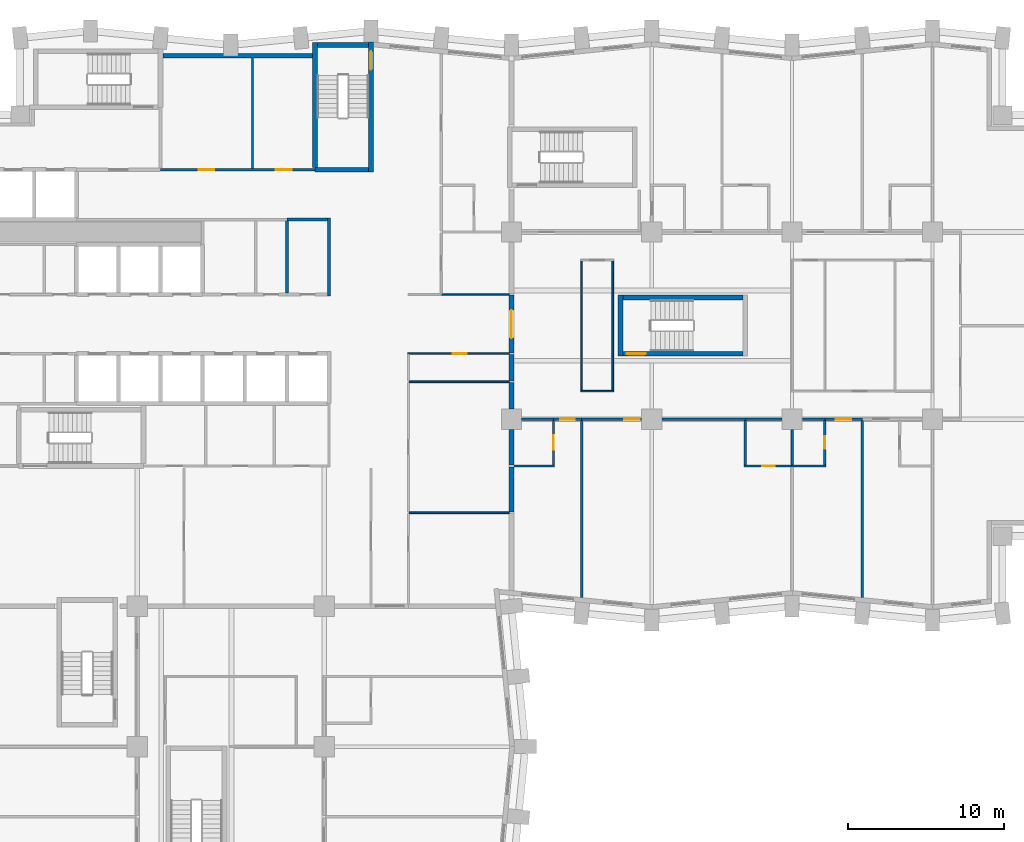
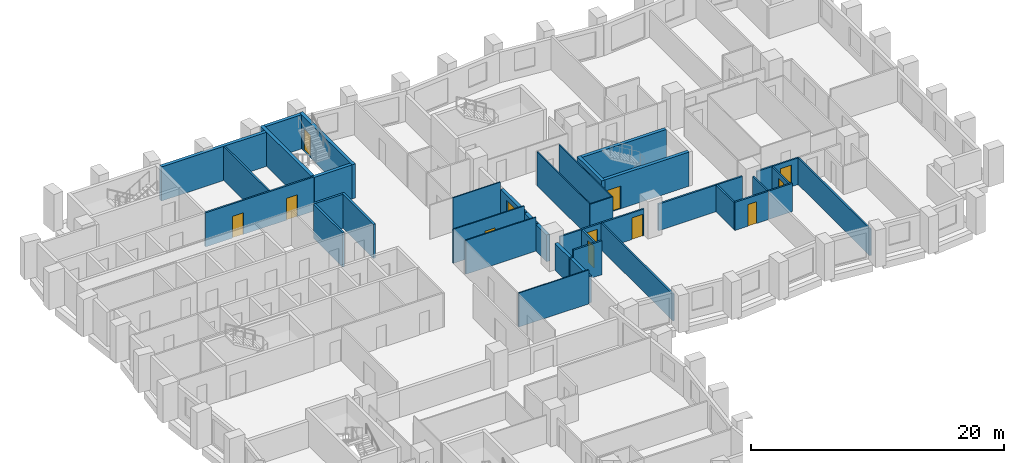
# One storey, part 7 of 12: 41 walls, 12 doors, 12 openings.
"""IFC4 building model written with IfcOpenShell, lengths in metres."""

import ifcopenshell
import ifcopenshell.guid

model = None  # the IFC model being written
_history = None  # IfcOwnerHistory: only IFC2X3 demands one
_inside = {}  # id of a spatial element -> (the spatial element, [elements in it])
_under = {}  # id of a project, library or spatial element -> (it, [spatial elements below it])
_declared = {}  # id of a project -> (the project, [libraries it declares])
_typed = {}  # id of a type object -> (the type object, [elements of that type])
_made_of = {}  # id of a material, layer set ... -> (it, [elements and type objects made of it])


def new_model(schema):
    """Start an empty IFC model of exactly this schema.

    Asked for "IFC4X3", IfcOpenShell would pick the latest addendum, in which some entities
    have other attributes; the version numbers below select the first issue.
    IFC2X3 requires an IfcOwnerHistory on every rooted entity: one is made here for all.
    """
    global model, _history
    if schema == "IFC4X3":
        model = ifcopenshell.file(schema_version=(4, 3, 0, 0))
    else:
        model = ifcopenshell.file(schema=schema)
    _inside.clear()
    _under.clear()
    _declared.clear()
    _typed.clear()
    _made_of.clear()
    _history = None
    if model.schema == "IFC2X3":
        org = make("IfcOrganization", Name="unknown")
        user = make(
            "IfcPersonAndOrganization",
            ThePerson=make("IfcPerson", FamilyName="unknown"),
            TheOrganization=org,
        )
        app = make(
            "IfcApplication",
            ApplicationDeveloper=org,
            Version="unknown",
            ApplicationFullName="unknown",
            ApplicationIdentifier="unknown",
        )
        _history = make(
            "IfcOwnerHistory",
            OwningUser=user,
            OwningApplication=app,
            ChangeAction="ADDED",
            CreationDate=0,
        )
    return model


def make(cls, **values):
    """One entity of the class cls with the attributes given. An attribute that is None is left unset."""
    return model.create_entity(
        cls, **{name: value for name, value in values.items() if value is not None}
    )


def rooted(cls, **values):
    """An entity with a GlobalId (a new one), such as an element, a storey or a relation."""
    return make(cls, GlobalId=ifcopenshell.guid.new(), OwnerHistory=_history, **values)


def si_unit(unit_type, name, prefix=None):
    """IfcSIUnit, for example si_unit("LENGTHUNIT", "METRE", prefix="MILLI")."""
    return make("IfcSIUnit", UnitType=unit_type, Prefix=prefix, Name=name)


def assignment(units):
    """IfcUnitAssignment: the units of a project."""
    return None if units is None else make("IfcUnitAssignment", Units=units)


def point(xyz):
    """IfcCartesianPoint."""
    return None if xyz is None else make("IfcCartesianPoint", Coordinates=xyz)


def direction(xyz):
    """IfcDirection."""
    return None if xyz is None else make("IfcDirection", DirectionRatios=xyz)


def frame(location, z_axis=None, x_axis=None):
    """IfcAxis2Placement3D, a coordinate frame: its origin and axes. An axis left out is left unset."""
    return make(
        "IfcAxis2Placement3D",
        Location=point(location),
        Axis=direction(z_axis),
        RefDirection=direction(x_axis),
    )


def frame_2d(location, x_axis=None):
    """IfcAxis2Placement2D, a coordinate frame in the plane: its origin and x axis."""
    return make(
        "IfcAxis2Placement2D", Location=point(location), RefDirection=direction(x_axis)
    )


def origin():
    """The frame at (0, 0, 0) with its axes left unset."""
    return frame((0.0, 0.0, 0.0))


def place(relative_to, where):
    """IfcLocalPlacement: puts the frame where relative to a parent placement (None: the world)."""
    return make(
        "IfcLocalPlacement", PlacementRelTo=relative_to, RelativePlacement=where
    )


def context(
    kind, dimensions, precision=None, world=None, true_north=None, identifier=None
):
    """IfcGeometricRepresentationContext, for example the 3D "Model" context."""
    return make(
        "IfcGeometricRepresentationContext",
        ContextIdentifier=identifier,
        ContextType=kind,
        CoordinateSpaceDimension=dimensions,
        Precision=precision,
        WorldCoordinateSystem=world,
        TrueNorth=true_north,
    )


def subcontext(parent, identifier, kind, view, scale=None):
    """IfcGeometricRepresentationSubContext, for example "Body" below "Model"."""
    return make(
        "IfcGeometricRepresentationSubContext",
        ContextIdentifier=identifier,
        ContextType=kind,
        ParentContext=parent,
        TargetScale=scale,
        TargetView=view,
    )


def project(units=None, contexts=None):
    """IfcProject with its units and contexts."""
    return rooted(
        "IfcProject",
        Name="project",
        RepresentationContexts=contexts,
        UnitsInContext=assignment(units),
    )


def spatial(cls, under=None, at=None, **own):
    """A site, building, storey or space (cls), placed at a placement, below another one or the project."""
    s = rooted(cls, ObjectPlacement=at, **own)
    if under is not None:
        _under.setdefault(under.id(), (under, []))[1].append(s)
    return s


def profile(cls, at=None, kind="AREA", **sizes):
    """A parametric profile (cls). Its sizes go by their IFC names, for example OverallWidth=200.0."""
    return make(cls, ProfileType=kind, Position=at, **sizes)


def rectangle(**sizes):
    """IfcRectangleProfileDef."""
    return profile("IfcRectangleProfileDef", **sizes)


def extrude(swept, where, along, depth):
    """IfcExtrudedAreaSolid: the profile swept, set in the frame where, extruded along a direction by depth."""
    return make(
        "IfcExtrudedAreaSolid",
        SweptArea=swept,
        Position=where,
        ExtrudedDirection=direction(along),
        Depth=depth,
    )


def shape(context_of_items, identifier, shape_type, items):
    """IfcShapeRepresentation: the items that make up one representation, for example the "Body"."""
    return make(
        "IfcShapeRepresentation",
        ContextOfItems=context_of_items,
        RepresentationIdentifier=identifier,
        RepresentationType=shape_type,
        Items=items,
    )


def material(Name=None, Category=None):
    """IfcMaterial."""
    return make("IfcMaterial", Name=Name, Category=Category)


def layer(
    of_material, thickness, ventilated=None, Name=None, Category=None, Priority=None
):
    """IfcMaterialLayer: one layer of a wall or slab, of a material (None: an air gap)."""
    return make(
        "IfcMaterialLayer",
        Material=of_material,
        LayerThickness=thickness,
        IsVentilated=ventilated,
        Name=Name,
        Category=Category,
        Priority=Priority,
    )


def layer_set(layers, Name=None):
    """IfcMaterialLayerSet."""
    return make("IfcMaterialLayerSet", MaterialLayers=layers, LayerSetName=Name)


def made_of(thing, what):
    """Note that an element or type object is made of a material, layer set ...; save() writes the relation."""
    if what is not None:
        _made_of.setdefault(what.id(), (what, []))[1].append(thing)
    return thing


def type_object(cls, material=None, **own):
    """A type object (cls), such as IfcWallType, which elements share."""
    return made_of(rooted(cls, **own), material)


def element(
    cls,
    number,
    at=None,
    inside=None,
    cuts=None,
    type_object=None,
    material=None,
    context=None,
    identifier="Body",
    shape_type=None,
    held_by="IfcProductDefinitionShape",
    body=None,
    shapes=None,
    **own,
):
    """One element of the class cls, such as IfcWall. Its Tag is "e" and its number.

    at: its placement. inside: the storey or other place that contains it. cuts: it is an
    opening in that element (IfcRelVoidsElement). A single representation is given by context,
    identifier, shape_type and body (its items); several are given by shapes. held_by: the class
    of the entity that holds the representations. save() writes the other relations.
    """
    e = rooted(cls, Tag="e%d" % number, ObjectPlacement=at, **own)
    if body is not None:
        shapes = [shape(context, identifier, shape_type, body)]
    if shapes is not None:
        e.Representation = make(held_by, Representations=shapes)
    if inside is not None:
        _inside.setdefault(inside.id(), (inside, []))[1].append(e)
    if cuts is not None:
        rooted(
            "IfcRelVoidsElement", RelatingBuildingElement=cuts, RelatedOpeningElement=e
        )
    if type_object is not None:
        _typed.setdefault(type_object.id(), (type_object, []))[1].append(e)
    return made_of(e, material)


def fill(opening, filler):
    """IfcRelFillsElement: the door or window that sits in an opening."""
    return rooted(
        "IfcRelFillsElement",
        RelatingOpeningElement=opening,
        RelatedBuildingElement=filler,
    )


def aggregate(whole, parts):
    """IfcRelAggregates: a whole, such as a stair, and the parts it consists of."""
    return rooted("IfcRelAggregates", RelatingObject=whole, RelatedObjects=parts)


def save(model, path):
    """Write the relations noted so far, then the file.

    IfcRelAggregates (storeys below a building ...), IfcRelContainedInSpatialStructure (elements
    in a storey), IfcRelDefinesByType, IfcRelAssociatesMaterial and IfcRelDeclares: one each for
    every whole, place, type object, material and project.
    """
    for whole, parts in _under.values():
        aggregate(whole, parts)
    for where, things in _inside.values():
        rooted(
            "IfcRelContainedInSpatialStructure",
            RelatedElements=things,
            RelatingStructure=where,
        )
    for kind, things in _typed.values():
        rooted("IfcRelDefinesByType", RelatedObjects=things, RelatingType=kind)
    for what, things in _made_of.values():
        rooted("IfcRelAssociatesMaterial", RelatedObjects=things, RelatingMaterial=what)
    for by, libraries in _declared.values():
        rooted("IfcRelDeclares", RelatingContext=by, RelatedDefinitions=libraries)
    model.write(path)


model = new_model("IFC4")

# Units and contexts
model_context = context("Model", 3, precision=1e-05, world=origin(), true_north=direction((0.0, 1.0)))
body_context = subcontext(model_context, "Body", "Model", "MODEL_VIEW")
ifc_project = project(units=[si_unit("LENGTHUNIT", "METRE"), si_unit("AREAUNIT", "SQUARE_METRE"), si_unit("VOLUMEUNIT", "CUBIC_METRE"), si_unit("PLANEANGLEUNIT", "RADIAN"), si_unit("MASSUNIT", "GRAM", prefix="KILO")], contexts=[model_context])

# Site, building, storey
site_placement = place(None, origin())
site = spatial("IfcSite", under=ifc_project, at=site_placement, CompositionType="ELEMENT")
building_placement = place(site_placement, origin())
building = spatial("IfcBuilding", under=site, at=building_placement, Name="Brondeck Convention Tower", CompositionType="ELEMENT")
storey_placement = place(building_placement, frame((0.0, 0.0, 59.10009765625)))
storey = spatial("IfcBuildingStorey", under=building, at=storey_placement, Name="L12", CompositionType="ELEMENT", Elevation=59.10009765625)

# Walls
ifc_material_1 = material(Name="Concrete compartment wall C30/37", Category="concrete")
ifc_layer_1 = layer(ifc_material_1, 0.300048828125)
ifc_layer_set_1 = layer_set([ifc_layer_1], Name="Compartment wall 300")
wall_type_1 = type_object("IfcWallType", Name="Compartment wall 300", PredefinedType="PARTITIONING", material=ifc_layer_set_1)
wall_1_placement = place(storey_placement, frame((36.0, 35.925048828125, 0.0), z_axis=(0.0, 0.0, 1.0), x_axis=(0.0, -1.0, 0.0)))
element("IfcWall", 1, at=wall_1_placement, inside=storey, type_object=wall_type_1, Name="FLR-L12-W047", PredefinedType="PARTITIONING", context=body_context, shape_type="SweptSolid", body=[
    extrude(rectangle(XDim=2.875, YDim=0.300048828125, at=frame_2d((1.4375, 0.0))), origin(), (0.0, 0.0, 1.0), 2.579833984375),
])
wall_2_placement = place(storey_placement, frame((36.0, 38.344970703125, 0.0), z_axis=(0.0, 0.0, 1.0), x_axis=(0.0, -1.0, 0.0)))
element("IfcWall", 2, at=wall_2_placement, inside=storey, type_object=wall_type_1, Name="FLR-L12-W056", PredefinedType="PARTITIONING", context=body_context, shape_type="SweptSolid", body=[
    extrude(rectangle(XDim=2.27001953125, YDim=0.300048828125, at=frame_2d((1.135009765625, 0.0))), origin(), (0.0, 0.0, 1.0), 2.579833984375),
])
wall_3_placement = place(storey_placement, frame((36.0, 41.35009765625, 0.0), z_axis=(0.0, 0.0, 1.0), x_axis=(0.0, -1.0, 0.0)))
element("IfcWall", 3, at=wall_3_placement, inside=storey, type_object=wall_type_1, Name="FLR-L12-W079", PredefinedType="PARTITIONING", context=body_context, shape_type="SweptSolid", body=[
    extrude(rectangle(XDim=1.695068359375, YDim=0.300048828125, at=frame_2d((0.84765625, 0.0))), origin(), (0.0, 0.0, 1.0), 2.579833984375),
])
wall_4_placement = place(storey_placement, frame((36.0, 43.14990234375, 0.0), z_axis=(0.0, 0.0, 1.0), x_axis=(0.0, -1.0, 0.0)))
element("IfcWall", 4, at=wall_4_placement, inside=storey, type_object=wall_type_1, Name="FLR-L12-W082", PredefinedType="PARTITIONING", context=body_context, shape_type="SweptSolid", body=[
    extrude(rectangle(XDim=1.699951171875, YDim=0.300048828125, at=frame_2d((0.85009765625, 0.0))), origin(), (0.0, 0.0, 1.0), 2.579833984375),
])

# Wall, opening, door
wall_5_placement = place(storey_placement, frame((36.0, 46.949951171875, 0.0), z_axis=(0.0, 0.0, 1.0), x_axis=(0.0, -1.0, 0.0)))
wall_5 = element("IfcWall", 5, at=wall_5_placement, inside=storey, type_object=wall_type_1, Name="FLR-L12-W086", PredefinedType="PARTITIONING", context=body_context, shape_type="SweptSolid", body=[
    extrude(rectangle(XDim=3.699951171875, YDim=0.300048828125, at=frame_2d((1.85009765625, 0.0))), origin(), (0.0, 0.0, 1.0), 2.579833984375),
])
opening_1_placement = place(wall_5_placement, frame((0.949951171875, 0.0, 0.0)))
opening_1 = element("IfcOpeningElement", 6, at=opening_1_placement, cuts=wall_5, Name="Opening H3-041", PredefinedType="OPENING", context=body_context, shape_type="SweptSolid", body=[
    extrude(rectangle(XDim=1.800048828125, YDim=2.10009765625, at=frame_2d((0.89990234375, 1.050048828125))), frame((0.0, 0.159912109375, 0.0), z_axis=(0.0, -1.0, 0.0), x_axis=(1.0, 0.0, 0.0)), (0.0, 0.0, 1.0), 0.320068359375),
])
ifc_material_2 = material(Name="Steel fire door pair", Category="steel")
door_type_1 = type_object("IfcDoorType", Name="Fire door pair 1800", OperationType="DOUBLE_DOOR_SINGLE_SWING", PredefinedType="DOOR", material=ifc_material_2)
door_1_placement = place(opening_1_placement, origin())
door_1 = element("IfcDoor", 7, at=door_1_placement, inside=storey, type_object=door_type_1, Name="Door H3-041", OperationType="DOUBLE_DOOR_SINGLE_SWING", OverallHeight=2.10009765625, OverallWidth=1.800048828125, PredefinedType="DOOR", context=body_context, shape_type="SweptSolid", body=[
    extrude(rectangle(XDim=1.800048828125, YDim=2.10009765625, at=frame_2d((0.89990234375, 1.050048828125))), frame((0.0, 0.02490234375, 0.0), z_axis=(0.0, -1.0, 0.0), x_axis=(1.0, 0.0, 0.0)), (0.0, 0.0, 1.0), 0.050048828125),
])
fill(opening_1, door_1)

# Walls
ifc_material_3 = material(Name="Concrete C80/95", Category="concrete")
ifc_layer_2 = layer(ifc_material_3, 0.199951171875)
ifc_layer_set_2 = layer_set([ifc_layer_2], Name="Core beam-seat wall 200 Concrete C80/95")
wall_type_2 = type_object("IfcWallType", Name="Core beam-seat wall 200 Concrete C80/95", PredefinedType="SHEAR", material=ifc_layer_set_2)
wall_6_placement = place(storey_placement, frame((24.300048828125, 46.89990234375, 0.0), z_axis=(0.0, 0.0, 1.0), x_axis=(0.0, 1.0, 0.0)))
element("IfcWall", 8, at=wall_6_placement, inside=storey, type_object=wall_type_2, Name="L12 core wall", PredefinedType="SHEAR", context=body_context, shape_type="SweptSolid", body=[
    extrude(rectangle(XDim=5.0, YDim=0.199951171875, at=frame_2d((2.5, 0.0))), origin(), (0.0, 0.0, 1.0), 3.2998046875),
])
ifc_layer_3 = layer(ifc_material_3, 0.300048828125)
ifc_layer_set_3 = layer_set([ifc_layer_3], Name="Core outer wall 300 Concrete C80/95")
wall_type_3 = type_object("IfcWallType", Name="Core outer wall 300 Concrete C80/95", PredefinedType="SHEAR", material=ifc_layer_set_3)
wall_7_placement = place(storey_placement, frame((13.64990234375, 62.300048828125, 0.0), z_axis=(0.0, 0.0, 1.0), x_axis=(1.0, 0.0, 0.0)))
element("IfcWall", 9, at=wall_7_placement, inside=storey, type_object=wall_type_3, Name="L12 core wall", PredefinedType="SHEAR", context=body_context, shape_type="SweptSolid", body=[
    extrude(rectangle(XDim=9.60009765625, YDim=0.300048828125, at=frame_2d((4.800048828125, 0.0))), origin(), (0.0, 0.0, 1.0), 3.2998046875),
])

# Wall, openings, doors
ifc_material_4 = material(Name="Fire-rated gypsum board partition")
ifc_layer_4 = layer(ifc_material_4, 0.14990234375)
ifc_layer_set_4 = layer_set([ifc_layer_4], Name="Core partition 150 EI 60")
wall_type_4 = type_object("IfcWallType", Name="Core partition 150 EI 60", PredefinedType="PARTITIONING", material=ifc_layer_set_4)
wall_8_placement = place(storey_placement, frame((13.5, 55.0, 0.0), z_axis=(0.0, 0.0, 1.0), x_axis=(1.0, 0.0, 0.0)))
wall_8 = element("IfcWall", 10, at=wall_8_placement, inside=storey, type_object=wall_type_4, Name="L12 core wall", PredefinedType="PARTITIONING", context=body_context, shape_type="SweptSolid", body=[
    extrude(rectangle(XDim=9.89990234375, YDim=0.14990234375, at=frame_2d((4.949951171875, 0.0))), origin(), (0.0, 0.0, 1.0), 3.2998046875),
])
opening_2_placement = place(wall_8_placement, frame((2.449951171875, 0.0, 0.0)))
opening_2 = element("IfcOpeningElement", 11, at=opening_2_placement, cuts=wall_8, Name="Opening C10-13", PredefinedType="OPENING", context=body_context, shape_type="SweptSolid", body=[
    extrude(rectangle(XDim=1.0, YDim=2.10009765625, at=frame_2d((0.5, 1.050048828125))), frame((0.0, 0.0849609375, 0.0), z_axis=(0.0, -1.0, 0.0), x_axis=(1.0, 0.0, 0.0)), (0.0, 0.0, 1.0), 0.169921875),
])
opening_3_placement = place(wall_8_placement, frame((7.39990234375, 0.0, 0.0)))
opening_3 = element("IfcOpeningElement", 12, at=opening_3_placement, cuts=wall_8, Name="Opening C10-14", PredefinedType="OPENING", context=body_context, shape_type="SweptSolid", body=[
    extrude(rectangle(XDim=1.0, YDim=2.10009765625, at=frame_2d((0.5, 1.050048828125))), frame((0.0, 0.0849609375, 0.0), z_axis=(0.0, -1.0, 0.0), x_axis=(1.0, 0.0, 0.0)), (0.0, 0.0, 1.0), 0.169921875),
])
ifc_material_5 = material(Name="Steel fire door", Category="steel")
door_type_2 = type_object("IfcDoorType", Name="Room door 1000x2100 EI 60", OperationType="NOTDEFINED", PredefinedType="DOOR", material=ifc_material_5)
door_2_placement = place(opening_2_placement, origin())
door_2 = element("IfcDoor", 13, at=door_2_placement, inside=storey, type_object=door_type_2, Name="L12 Room door NE-1", OperationType="SINGLE_SWING_LEFT", OverallHeight=2.10009765625, OverallWidth=1.0, PredefinedType="DOOR", context=body_context, shape_type="SweptSolid", body=[
    extrude(rectangle(XDim=1.0, YDim=2.10009765625, at=frame_2d((0.5, 1.050048828125))), frame((0.0, 0.02490234375, 0.0), z_axis=(0.0, -1.0, 0.0), x_axis=(1.0, 0.0, 0.0)), (0.0, 0.0, 1.0), 0.050048828125),
])
fill(opening_2, door_2)
door_3_placement = place(opening_3_placement, origin())
door_3 = element("IfcDoor", 14, at=door_3_placement, inside=storey, type_object=door_type_2, Name="L12 Room door NE-2", OperationType="SINGLE_SWING_RIGHT", OverallHeight=2.10009765625, OverallWidth=1.0, PredefinedType="DOOR", context=body_context, shape_type="SweptSolid", body=[
    extrude(rectangle(XDim=1.0, YDim=2.10009765625, at=frame_2d((0.5, 1.050048828125))), frame((0.0, 0.02490234375, 0.0), z_axis=(0.0, -1.0, 0.0), x_axis=(1.0, 0.0, 0.0)), (0.0, 0.0, 1.0), 0.050048828125),
])
fill(opening_3, door_3)

# Walls
wall_9_placement = place(storey_placement, frame((19.39990234375, 55.074951171875, 0.0), z_axis=(0.0, 0.0, 1.0), x_axis=(0.0, 1.0, 0.0)))
element("IfcWall", 15, at=wall_9_placement, inside=storey, type_object=wall_type_4, Name="L12 core wall", PredefinedType="PARTITIONING", context=body_context, shape_type="SweptSolid", body=[
    extrude(rectangle(XDim=7.074951171875, YDim=0.14990234375, at=frame_2d((3.53759765625, 0.0))), origin(), (0.0, 0.0, 1.0), 3.2998046875),
])
ifc_material_6 = material(Name="Double gypsum board acoustic wall")
ifc_layer_5 = layer(ifc_material_6, 0.14990234375)
ifc_layer_set_5 = layer_set([ifc_layer_5], Name="Guest room party wall 150")
wall_type_5 = type_object("IfcWallType", Name="Guest room party wall 150", PredefinedType="PARTITIONING", material=ifc_layer_set_5)
wall_10_placement = place(storey_placement, frame((36.14990234375, 36.0, 0.0), z_axis=(0.0, 0.0, 1.0), x_axis=(1.0, 0.0, 0.0)))
element("IfcWall", 16, at=wall_10_placement, inside=storey, type_object=wall_type_5, Name="FLR-L12-W050", PredefinedType="PARTITIONING", context=body_context, shape_type="SweptSolid", body=[
    extrude(rectangle(XDim=2.625, YDim=0.14990234375, at=frame_2d((1.3125, 0.0))), origin(), (0.0, 0.0, 1.0), 3.27978515625),
])

# Wall, opening, door
wall_11_placement = place(storey_placement, frame((50.925048828125, 36.0, 0.0), z_axis=(0.0, 0.0, 1.0), x_axis=(1.0, 0.0, 0.0)))
wall_11 = element("IfcWall", 17, at=wall_11_placement, inside=storey, type_object=wall_type_5, Name="FLR-L12-W051", PredefinedType="PARTITIONING", context=body_context, shape_type="SweptSolid", body=[
    extrude(rectangle(XDim=3.074951171875, YDim=0.14990234375, at=frame_2d((1.53759765625, 0.0))), origin(), (0.0, 0.0, 1.0), 2.72998046875),
])
opening_4_placement = place(wall_11_placement, frame((1.175048828125, 0.0, 0.0)))
opening_4 = element("IfcOpeningElement", 18, at=opening_4_placement, cuts=wall_11, Name="Opening H3-011", PredefinedType="OPENING", context=body_context, shape_type="SweptSolid", body=[
    extrude(rectangle(XDim=0.800048828125, YDim=2.10009765625, at=frame_2d((0.39990234375, 1.050048828125))), frame((0.0, 0.0849609375, 0.0), z_axis=(0.0, -1.0, 0.0), x_axis=(1.0, 0.0, 0.0)), (0.0, 0.0, 1.0), 0.169921875),
])
ifc_material_7 = material(Name="Solid timber door leaf", Category="wood")
door_type_3 = type_object("IfcDoorType", Name="En-suite door 800", OperationType="NOTDEFINED", PredefinedType="DOOR", material=ifc_material_7)
door_4_placement = place(opening_4_placement, origin())
door_4 = element("IfcDoor", 19, at=door_4_placement, inside=storey, type_object=door_type_3, Name="Door H3-011", OperationType="SINGLE_SWING_RIGHT", OverallHeight=2.10009765625, OverallWidth=0.800048828125, PredefinedType="DOOR", context=body_context, shape_type="SweptSolid", body=[
    extrude(rectangle(XDim=0.800048828125, YDim=2.10009765625, at=frame_2d((0.39990234375, 1.050048828125))), frame((0.0, 0.02490234375, 0.0), z_axis=(0.0, -1.0, 0.0), x_axis=(1.0, 0.0, 0.0)), (0.0, 0.0, 1.0), 0.050048828125),
])
fill(opening_4, door_4)

# Wall
wall_12_placement = place(storey_placement, frame((54.0, 36.0, 0.0), z_axis=(0.0, 0.0, 1.0), x_axis=(1.0, 0.0, 0.0)))
element("IfcWall", 20, at=wall_12_placement, inside=storey, type_object=wall_type_5, Name="FLR-L12-W052", PredefinedType="PARTITIONING", context=body_context, shape_type="SweptSolid", body=[
    extrude(rectangle(XDim=2.175048828125, YDim=0.14990234375, at=frame_2d((1.08740234375, 0.0))), origin(), (0.0, 0.0, 1.0), 2.72998046875),
])

# Wall, opening, door
wall_13_placement = place(storey_placement, frame((38.699951171875, 36.074951171875, 0.0), z_axis=(0.0, 0.0, 1.0), x_axis=(0.0, 1.0, 0.0)))
wall_13 = element("IfcWall", 21, at=wall_13_placement, inside=storey, type_object=wall_type_5, Name="FLR-L12-W054", PredefinedType="PARTITIONING", context=body_context, shape_type="SweptSolid", body=[
    extrude(rectangle(XDim=2.85009765625, YDim=0.14990234375, at=frame_2d((1.425048828125, 0.0))), origin(), (0.0, 0.0, 1.0), 2.579833984375),
])
opening_5_placement = place(wall_13_placement, frame((0.949951171875, 0.0, 0.0)))
opening_5 = element("IfcOpeningElement", 22, at=opening_5_placement, cuts=wall_13, Name="Opening H3-009", PredefinedType="OPENING", context=body_context, shape_type="SweptSolid", body=[
    extrude(rectangle(XDim=0.949951171875, YDim=2.10009765625, at=frame_2d((0.47509765625, 1.050048828125))), frame((0.0, 0.0849609375, 0.0), z_axis=(0.0, -1.0, 0.0), x_axis=(1.0, 0.0, 0.0)), (0.0, 0.0, 1.0), 0.169921875),
])
door_type_4 = type_object("IfcDoorType", Name="Accessible door 950", OperationType="NOTDEFINED", PredefinedType="DOOR", material=ifc_material_7)
door_5_placement = place(opening_5_placement, origin())
door_5 = element("IfcDoor", 23, at=door_5_placement, inside=storey, type_object=door_type_4, Name="Door H3-009", OperationType="SINGLE_SWING_LEFT", OverallHeight=2.10009765625, OverallWidth=0.949951171875, PredefinedType="DOOR", context=body_context, shape_type="SweptSolid", body=[
    extrude(rectangle(XDim=0.949951171875, YDim=2.10009765625, at=frame_2d((0.47509765625, 1.050048828125))), frame((0.0, 0.02490234375, 0.0), z_axis=(0.0, -1.0, 0.0), x_axis=(1.0, 0.0, 0.0)), (0.0, 0.0, 1.0), 0.050048828125),
])
fill(opening_5, door_5)

wall_14_placement = place(storey_placement, frame((56.10009765625, 36.074951171875, 0.0), z_axis=(0.0, 0.0, 1.0), x_axis=(0.0, 1.0, 0.0)))
wall_14 = element("IfcWall", 24, at=wall_14_placement, inside=storey, type_object=wall_type_5, Name="FLR-L12-W055", PredefinedType="PARTITIONING", context=body_context, shape_type="SweptSolid", body=[
    extrude(rectangle(XDim=2.85009765625, YDim=0.14990234375, at=frame_2d((1.425048828125, 0.0))), origin(), (0.0, 0.0, 1.0), 2.579833984375),
])
opening_6_placement = place(wall_14_placement, frame((1.02490234375, 0.0, 0.0)))
opening_6 = element("IfcOpeningElement", 25, at=opening_6_placement, cuts=wall_14, Name="Opening H3-013", PredefinedType="OPENING", context=body_context, shape_type="SweptSolid", body=[
    extrude(rectangle(XDim=0.800048828125, YDim=2.10009765625, at=frame_2d((0.39990234375, 1.050048828125))), frame((0.0, 0.0849609375, 0.0), z_axis=(0.0, -1.0, 0.0), x_axis=(1.0, 0.0, 0.0)), (0.0, 0.0, 1.0), 0.169921875),
])
door_6_placement = place(opening_6_placement, origin())
door_6 = element("IfcDoor", 26, at=door_6_placement, inside=storey, type_object=door_type_3, Name="Door H3-013", OperationType="SINGLE_SWING_LEFT", OverallHeight=2.10009765625, OverallWidth=0.800048828125, PredefinedType="DOOR", context=body_context, shape_type="SweptSolid", body=[
    extrude(rectangle(XDim=0.800048828125, YDim=2.10009765625, at=frame_2d((0.39990234375, 1.050048828125))), frame((0.0, 0.02490234375, 0.0), z_axis=(0.0, -1.0, 0.0), x_axis=(1.0, 0.0, 0.0)), (0.0, 0.0, 1.0), 0.050048828125),
])
fill(opening_6, door_6)

# Walls
wall_15_placement = place(storey_placement, frame((54.0, 38.344970703125, 0.0), z_axis=(0.0, 0.0, 1.0), x_axis=(0.0, -1.0, 0.0)))
element("IfcWall", 27, at=wall_15_placement, inside=storey, type_object=wall_type_5, Name="FLR-L12-W057", PredefinedType="PARTITIONING", context=body_context, shape_type="SweptSolid", body=[
    extrude(rectangle(XDim=2.27001953125, YDim=0.14990234375, at=frame_2d((1.135009765625, 0.0))), origin(), (0.0, 0.0, 1.0), 2.72998046875),
])
wall_16_placement = place(storey_placement, frame((40.5, 38.925048828125, 0.0), z_axis=(0.0, 0.0, 1.0), x_axis=(0.0, -1.0, 0.0)))
element("IfcWall", 28, at=wall_16_placement, inside=storey, type_object=wall_type_5, Name="FLR-L12-W059", PredefinedType="PARTITIONING", context=body_context, shape_type="SweptSolid", body=[
    extrude(rectangle(XDim=11.35009765625, YDim=0.14990234375, at=frame_2d((5.675048828125, 0.0))), origin(), (0.0, 0.0, 1.0), 2.579833984375),
])
wall_17_placement = place(storey_placement, frame((51.0, 38.925048828125, 0.0), z_axis=(0.0, 0.0, 1.0), x_axis=(0.0, -1.0, 0.0)))
element("IfcWall", 29, at=wall_17_placement, inside=storey, type_object=wall_type_5, Name="FLR-L12-W060", PredefinedType="PARTITIONING", context=body_context, shape_type="SweptSolid", body=[
    extrude(rectangle(XDim=2.85009765625, YDim=0.14990234375, at=frame_2d((1.425048828125, 0.0))), origin(), (0.0, 0.0, 1.0), 2.579833984375),
])
wall_18_placement = place(storey_placement, frame((58.5, 38.925048828125, 0.0), z_axis=(0.0, 0.0, 1.0), x_axis=(0.0, -1.0, 0.0)))
element("IfcWall", 30, at=wall_18_placement, inside=storey, type_object=wall_type_5, Name="FLR-L12-W061", PredefinedType="PARTITIONING", context=body_context, shape_type="SweptSolid", body=[
    extrude(rectangle(XDim=11.35009765625, YDim=0.14990234375, at=frame_2d((5.675048828125, 0.0))), origin(), (0.0, 0.0, 1.0), 2.579833984375),
])
wall_19_placement = place(storey_placement, frame((38.699951171875, 39.0, 0.0), z_axis=(0.0, 0.0, 1.0), x_axis=(-1.0, 0.0, 0.0)))
element("IfcWall", 31, at=wall_19_placement, inside=storey, type_object=wall_type_5, Name="FLR-L12-W063", PredefinedType="PARTITIONING", context=body_context, shape_type="SweptSolid", body=[
    extrude(rectangle(XDim=2.044921875, YDim=0.14990234375, at=frame_2d((1.0224609375, 0.0))), origin(), (0.0, 0.0, 1.0), 2.579833984375),
])

# Wall, opening, door
wall_20_placement = place(storey_placement, frame((40.5, 39.0, 0.0), z_axis=(0.0, 0.0, 1.0), x_axis=(-1.0, 0.0, 0.0)))
wall_20 = element("IfcWall", 32, at=wall_20_placement, inside=storey, type_object=wall_type_5, Name="FLR-L12-W064", PredefinedType="PARTITIONING", context=body_context, shape_type="SweptSolid", body=[
    extrude(rectangle(XDim=1.800048828125, YDim=0.14990234375, at=frame_2d((0.89990234375, 0.0))), origin(), (0.0, 0.0, 1.0), 2.579833984375),
])
opening_7_placement = place(wall_20_placement, frame((0.425048828125, 0.0, 0.0)))
opening_7 = element("IfcOpeningElement", 33, at=opening_7_placement, cuts=wall_20, Name="Opening H3-008", PredefinedType="OPENING", context=body_context, shape_type="SweptSolid", body=[
    extrude(rectangle(XDim=0.949951171875, YDim=2.10009765625, at=frame_2d((0.47509765625, 1.050048828125))), frame((0.0, 0.0849609375, 0.0), z_axis=(0.0, -1.0, 0.0), x_axis=(1.0, 0.0, 0.0)), (0.0, 0.0, 1.0), 0.169921875),
])
door_7_placement = place(opening_7_placement, origin())
door_7 = element("IfcDoor", 34, at=door_7_placement, inside=storey, type_object=door_type_4, Name="Door H3-008", OperationType="SINGLE_SWING_LEFT", OverallHeight=2.10009765625, OverallWidth=0.949951171875, PredefinedType="DOOR", context=body_context, shape_type="SweptSolid", body=[
    extrude(rectangle(XDim=0.949951171875, YDim=2.10009765625, at=frame_2d((0.47509765625, 1.050048828125))), frame((0.0, 0.02490234375, 0.0), z_axis=(0.0, -1.0, 0.0), x_axis=(1.0, 0.0, 0.0)), (0.0, 0.0, 1.0), 0.050048828125),
])
fill(opening_7, door_7)

wall_21_placement = place(storey_placement, frame((44.344970703125, 39.0, 0.0), z_axis=(0.0, 0.0, 1.0), x_axis=(-1.0, 0.0, 0.0)))
wall_21 = element("IfcWall", 35, at=wall_21_placement, inside=storey, type_object=wall_type_5, Name="FLR-L12-W065", PredefinedType="PARTITIONING", context=body_context, shape_type="SweptSolid", body=[
    extrude(rectangle(XDim=3.844970703125, YDim=0.14990234375, at=frame_2d((1.92236328125, 0.0))), origin(), (0.0, 0.0, 1.0), 2.579833984375),
])
opening_8_placement = place(wall_21_placement, frame((0.10009765625, 0.0, 0.0)))
opening_8 = element("IfcOpeningElement", 36, at=opening_8_placement, cuts=wall_21, Name="Opening H3-010", PredefinedType="OPENING", context=body_context, shape_type="SweptSolid", body=[
    extrude(rectangle(XDim=1.0, YDim=2.10009765625, at=frame_2d((0.5, 1.050048828125))), frame((0.0, 0.0849609375, 0.0), z_axis=(0.0, -1.0, 0.0), x_axis=(1.0, 0.0, 0.0)), (0.0, 0.0, 1.0), 0.169921875),
])
ifc_material_8 = material(Name="Solid timber fire door leaf", Category="wood")
door_type_5 = type_object("IfcDoorType", Name="Guest room door 1000", OperationType="NOTDEFINED", PredefinedType="DOOR", material=ifc_material_8)
door_8_placement = place(opening_8_placement, origin())
door_8 = element("IfcDoor", 37, at=door_8_placement, inside=storey, type_object=door_type_5, Name="Door H3-010", OperationType="SINGLE_SWING_RIGHT", OverallHeight=2.10009765625, OverallWidth=1.0, PredefinedType="DOOR", context=body_context, shape_type="SweptSolid", body=[
    extrude(rectangle(XDim=1.0, YDim=2.10009765625, at=frame_2d((0.5, 1.050048828125))), frame((0.0, 0.02490234375, 0.0), z_axis=(0.0, -1.0, 0.0), x_axis=(1.0, 0.0, 0.0)), (0.0, 0.0, 1.0), 0.050048828125),
])
fill(opening_8, door_8)

# Walls
wall_22_placement = place(storey_placement, frame((51.0, 39.0, 0.0), z_axis=(0.0, 0.0, 1.0), x_axis=(-1.0, 0.0, 0.0)))
element("IfcWall", 38, at=wall_22_placement, inside=storey, type_object=wall_type_5, Name="FLR-L12-W066", PredefinedType="PARTITIONING", context=body_context, shape_type="SweptSolid", body=[
    extrude(rectangle(XDim=5.344970703125, YDim=0.14990234375, at=frame_2d((2.67236328125, 0.0))), origin(), (0.0, 0.0, 1.0), 2.579833984375),
])
wall_23_placement = place(storey_placement, frame((53.344970703125, 39.0, 0.0), z_axis=(0.0, 0.0, 1.0), x_axis=(-1.0, 0.0, 0.0)))
element("IfcWall", 39, at=wall_23_placement, inside=storey, type_object=wall_type_5, Name="FLR-L12-W067", PredefinedType="PARTITIONING", context=body_context, shape_type="SweptSolid", body=[
    extrude(rectangle(XDim=2.344970703125, YDim=0.14990234375, at=frame_2d((1.17236328125, 0.0))), origin(), (0.0, 0.0, 1.0), 2.579833984375),
])
wall_24_placement = place(storey_placement, frame((56.10009765625, 39.0, 0.0), z_axis=(0.0, 0.0, 1.0), x_axis=(-1.0, 0.0, 0.0)))
element("IfcWall", 40, at=wall_24_placement, inside=storey, type_object=wall_type_5, Name="FLR-L12-W068", PredefinedType="PARTITIONING", context=body_context, shape_type="SweptSolid", body=[
    extrude(rectangle(XDim=1.445068359375, YDim=0.14990234375, at=frame_2d((0.72265625, 0.0))), origin(), (0.0, 0.0, 1.0), 2.579833984375),
])

# Wall, opening, door
wall_25_placement = place(storey_placement, frame((58.5, 39.0, 0.0), z_axis=(0.0, 0.0, 1.0), x_axis=(-1.0, 0.0, 0.0)))
wall_25 = element("IfcWall", 41, at=wall_25_placement, inside=storey, type_object=wall_type_5, Name="FLR-L12-W069", PredefinedType="PARTITIONING", context=body_context, shape_type="SweptSolid", body=[
    extrude(rectangle(XDim=2.39990234375, YDim=0.14990234375, at=frame_2d((1.199951171875, 0.0))), origin(), (0.0, 0.0, 1.0), 2.579833984375),
])
opening_9_placement = place(wall_25_placement, frame((0.699951171875, 0.0, 0.0)))
opening_9 = element("IfcOpeningElement", 42, at=opening_9_placement, cuts=wall_25, Name="Opening H3-012", PredefinedType="OPENING", context=body_context, shape_type="SweptSolid", body=[
    extrude(rectangle(XDim=1.0, YDim=2.10009765625, at=frame_2d((0.5, 1.050048828125))), frame((0.0, 0.0849609375, 0.0), z_axis=(0.0, -1.0, 0.0), x_axis=(1.0, 0.0, 0.0)), (0.0, 0.0, 1.0), 0.169921875),
])
door_9_placement = place(opening_9_placement, origin())
door_9 = element("IfcDoor", 43, at=door_9_placement, inside=storey, type_object=door_type_5, Name="Door H3-012", OperationType="SINGLE_SWING_LEFT", OverallHeight=2.10009765625, OverallWidth=1.0, PredefinedType="DOOR", context=body_context, shape_type="SweptSolid", body=[
    extrude(rectangle(XDim=1.0, YDim=2.10009765625, at=frame_2d((0.5, 1.050048828125))), frame((0.0, 0.02490234375, 0.0), z_axis=(0.0, -1.0, 0.0), x_axis=(1.0, 0.0, 0.0)), (0.0, 0.0, 1.0), 0.050048828125),
])
fill(opening_9, door_9)

# Walls
ifc_layer_6 = layer(ifc_material_4, 0.199951171875)
ifc_layer_set_6 = layer_set([ifc_layer_6], Name="Riser wall 200 EI 120")
wall_type_6 = type_object("IfcWallType", Name="Riser wall 200 EI 120", PredefinedType="PARTITIONING", material=ifc_layer_set_6)
wall_26_placement = place(storey_placement, frame((21.60009765625, 51.800048828125, 0.0), z_axis=(0.0, 0.0, 1.0), x_axis=(1.0, 0.0, 0.0)))
element("IfcWall", 44, at=wall_26_placement, inside=storey, type_object=wall_type_6, Name="L12 core wall", PredefinedType="PARTITIONING", context=body_context, shape_type="SweptSolid", body=[
    extrude(rectangle(XDim=2.599853515625, YDim=0.199951171875, at=frame_2d((1.2998046875, 0.0))), origin(), (0.0, 0.0, 1.0), 3.2998046875),
])
wall_27_placement = place(storey_placement, frame((21.60009765625, 47.10009765625, 0.0), z_axis=(0.0, 0.0, 1.0), x_axis=(0.0, 1.0, 0.0)))
element("IfcWall", 45, at=wall_27_placement, inside=storey, type_object=wall_type_6, Name="L12 core wall", PredefinedType="PARTITIONING", context=body_context, shape_type="SweptSolid", body=[
    extrude(rectangle(XDim=4.599853515625, YDim=0.199951171875, at=frame_2d((2.2998046875, 0.0))), origin(), (0.0, 0.0, 1.0), 3.2998046875),
])
ifc_material_9 = material(Name="Gypsum board partition on steel studs", Category="steel")
ifc_layer_7 = layer(ifc_material_9, 0.10009765625)
ifc_layer_set_7 = layer_set([ifc_layer_7], Name="Room partition 100")
wall_type_7 = type_object("IfcWallType", Name="Room partition 100", PredefinedType="PARTITIONING", material=ifc_layer_set_7)
wall_28_placement = place(storey_placement, frame((35.85009765625, 33.0, 0.0), z_axis=(0.0, 0.0, 1.0), x_axis=(-1.0, 0.0, 0.0)))
element("IfcWall", 46, at=wall_28_placement, inside=storey, type_object=wall_type_7, Name="FLR-L12-W045", PredefinedType="PARTITIONING", context=body_context, shape_type="SweptSolid", body=[
    extrude(rectangle(XDim=6.400146484375, YDim=0.10009765625, at=frame_2d((3.2001953125, 0.0))), origin(), (0.0, 0.0, 1.0), 3.27978515625),
])
wall_29_placement = place(storey_placement, frame((40.449951171875, 40.800048828125, 0.0), z_axis=(0.0, 0.0, 1.0), x_axis=(1.0, 0.0, 0.0)))
element("IfcWall", 47, at=wall_29_placement, inside=storey, type_object=wall_type_7, Name="FLR-L12-W073", PredefinedType="PARTITIONING", context=body_context, shape_type="SweptSolid", body=[
    extrude(rectangle(XDim=2.10009765625, YDim=0.10009765625, at=frame_2d((1.050048828125, 0.0))), origin(), (0.0, 0.0, 1.0), 3.27978515625),
])
wall_30_placement = place(storey_placement, frame((35.85009765625, 41.39990234375, 0.0), z_axis=(0.0, 0.0, 1.0), x_axis=(-1.0, 0.0, 0.0)))
element("IfcWall", 48, at=wall_30_placement, inside=storey, type_object=wall_type_7, Name="FLR-L12-W080", PredefinedType="PARTITIONING", context=body_context, shape_type="SweptSolid", body=[
    extrude(rectangle(XDim=6.400146484375, YDim=0.10009765625, at=frame_2d((3.2001953125, 0.0))), origin(), (0.0, 0.0, 1.0), 3.27978515625),
])

# Wall, opening, door
wall_31_placement = place(storey_placement, frame((35.85009765625, 43.199951171875, 0.0), z_axis=(0.0, 0.0, 1.0), x_axis=(-1.0, 0.0, 0.0)))
wall_31 = element("IfcWall", 49, at=wall_31_placement, inside=storey, type_object=wall_type_7, Name="FLR-L12-W083", PredefinedType="PARTITIONING", context=body_context, shape_type="SweptSolid", body=[
    extrude(rectangle(XDim=6.5, YDim=0.10009765625, at=frame_2d((3.25, 0.0))), origin(), (0.0, 0.0, 1.0), 3.27978515625),
])
opening_10_placement = place(wall_31_placement, frame((2.699951171875, 0.0, 0.0)))
opening_10 = element("IfcOpeningElement", 50, at=opening_10_placement, cuts=wall_31, Name="Opening H3-036", PredefinedType="OPENING", context=body_context, shape_type="SweptSolid", body=[
    extrude(rectangle(XDim=0.89990234375, YDim=2.10009765625, at=frame_2d((0.449951171875, 1.050048828125))), frame((0.0, 0.06005859375, 0.0), z_axis=(0.0, -1.0, 0.0), x_axis=(1.0, 0.0, 0.0)), (0.0, 0.0, 1.0), 0.1201171875),
])
door_type_6 = type_object("IfcDoorType", Name="Single door 900", OperationType="NOTDEFINED", PredefinedType="DOOR", material=ifc_material_7)
door_10_placement = place(opening_10_placement, origin())
door_10 = element("IfcDoor", 51, at=door_10_placement, inside=storey, type_object=door_type_6, Name="Door H3-036", OperationType="SINGLE_SWING_LEFT", OverallHeight=2.10009765625, OverallWidth=0.89990234375, PredefinedType="DOOR", context=body_context, shape_type="SweptSolid", body=[
    extrude(rectangle(XDim=0.89990234375, YDim=2.10009765625, at=frame_2d((0.449951171875, 1.050048828125))), frame((0.0, 0.02490234375, 0.0), z_axis=(0.0, -1.0, 0.0), x_axis=(1.0, 0.0, 0.0)), (0.0, 0.0, 1.0), 0.050048828125),
])
fill(opening_10, door_10)

# Walls
wall_32_placement = place(storey_placement, frame((31.5, 47.0, 0.0), z_axis=(0.0, 0.0, 1.0), x_axis=(1.0, 0.0, 0.0)))
element("IfcWall", 52, at=wall_32_placement, inside=storey, type_object=wall_type_7, Name="FLR-L12-W088", PredefinedType="PARTITIONING", context=body_context, shape_type="SweptSolid", body=[
    extrude(rectangle(XDim=4.35009765625, YDim=0.10009765625, at=frame_2d((2.175048828125, 0.0))), origin(), (0.0, 0.0, 1.0), 3.27978515625),
])
for number, where, z_axis, x_axis, name in (
    (53, (40.5, 49.14990234375, 0.0), (0.0, 0.0, 1.0), (0.0, -1.0, 0.0), "FLR-L12-W090"),
    (54, (42.5, 49.14990234375, 0.0), (0.0, 0.0, 1.0), (0.0, -1.0, 0.0), "FLR-L12-W091"),
):
    element("IfcWall", number, at=place(storey_placement, frame(where, z_axis=z_axis, x_axis=x_axis)), inside=storey, type_object=wall_type_7, Name=name, PredefinedType="PARTITIONING", context=body_context, shape_type="SweptSolid", body=[
        extrude(rectangle(XDim=8.2998046875, YDim=0.10009765625, at=frame_2d((4.14990234375, 0.0))), origin(), (0.0, 0.0, 1.0), 3.27978515625),
    ])

# Wall, opening, door
ifc_layer_8 = layer(ifc_material_3, 0.300048828125)
ifc_layer_set_8 = layer_set([ifc_layer_8], Name="Stair enclosure wall 300 Concrete C80/95")
wall_type_8 = type_object("IfcWallType", Name="Stair enclosure wall 300 Concrete C80/95", PredefinedType="SHEAR", material=ifc_layer_set_8)
wall_33_placement = place(storey_placement, frame((43.14990234375, 43.199951171875, 0.0), z_axis=(0.0, 0.0, 1.0), x_axis=(1.0, 0.0, 0.0)))
wall_33 = element("IfcWall", 55, at=wall_33_placement, inside=storey, type_object=wall_type_8, Name="L12 core wall", PredefinedType="SHEAR", context=body_context, shape_type="SweptSolid", body=[
    extrude(rectangle(XDim=7.7001953125, YDim=0.300048828125, at=frame_2d((3.85009765625, 0.0))), origin(), (0.0, 0.0, 1.0), 3.2998046875),
])
opening_11_placement = place(wall_33_placement, frame((0.25, 0.0, 0.0)))
opening_11 = element("IfcOpeningElement", 56, at=opening_11_placement, cuts=wall_33, Name="Opening C10-19", PredefinedType="OPENING", context=body_context, shape_type="SweptSolid", body=[
    extrude(rectangle(XDim=1.199951171875, YDim=2.199951171875, at=frame_2d((0.60009765625, 1.10009765625))), frame((0.0, 0.159912109375, 0.0), z_axis=(0.0, -1.0, 0.0), x_axis=(1.0, 0.0, 0.0)), (0.0, 0.0, 1.0), 0.320068359375),
])
door_type_7 = type_object("IfcDoorType", Name="Stair door 1200x2200 EI 90", OperationType="NOTDEFINED", PredefinedType="DOOR", material=ifc_material_5)
door_11_placement = place(opening_11_placement, origin())
door_11 = element("IfcDoor", 57, at=door_11_placement, inside=storey, type_object=door_type_7, Name="L12 Stair door ST-AF", OperationType="SINGLE_SWING_RIGHT", OverallHeight=2.199951171875, OverallWidth=1.199951171875, PredefinedType="DOOR", context=body_context, shape_type="SweptSolid", body=[
    extrude(rectangle(XDim=1.199951171875, YDim=2.199951171875, at=frame_2d((0.60009765625, 1.10009765625))), frame((0.0, 0.02490234375, 0.0), z_axis=(0.0, -1.0, 0.0), x_axis=(1.0, 0.0, 0.0)), (0.0, 0.0, 1.0), 0.050048828125),
])
fill(opening_11, door_11)

# Walls
wall_34_placement = place(storey_placement, frame((43.14990234375, 46.800048828125, 0.0), z_axis=(0.0, 0.0, 1.0), x_axis=(1.0, 0.0, 0.0)))
element("IfcWall", 58, at=wall_34_placement, inside=storey, type_object=wall_type_8, Name="L12 core wall", PredefinedType="SHEAR", context=body_context, shape_type="SweptSolid", body=[
    extrude(rectangle(XDim=7.7001953125, YDim=0.300048828125, at=frame_2d((3.85009765625, 0.0))), origin(), (0.0, 0.0, 1.0), 3.2998046875),
])
wall_35_placement = place(storey_placement, frame((23.39990234375, 55.0, 0.0), z_axis=(0.0, 0.0, 1.0), x_axis=(1.0, 0.0, 0.0)))
element("IfcWall", 59, at=wall_35_placement, inside=storey, type_object=wall_type_8, Name="L12 core wall", PredefinedType="SHEAR", context=body_context, shape_type="SweptSolid", body=[
    extrude(rectangle(XDim=3.4501953125, YDim=0.300048828125, at=frame_2d((1.72509765625, 0.0))), origin(), (0.0, 0.0, 1.0), 3.2998046875),
])
wall_36_placement = place(storey_placement, frame((23.550048828125, 63.0, 0.0), z_axis=(0.0, 0.0, 1.0), x_axis=(1.0, 0.0, 0.0)))
element("IfcWall", 60, at=wall_36_placement, inside=storey, type_object=wall_type_8, Name="L12 core wall", PredefinedType="SHEAR", context=body_context, shape_type="SweptSolid", body=[
    extrude(rectangle(XDim=3.300048828125, YDim=0.300048828125, at=frame_2d((1.64990234375, 0.0))), origin(), (0.0, 0.0, 1.0), 3.2998046875),
])
wall_37_placement = place(storey_placement, frame((23.39990234375, 55.14990234375, 0.0), z_axis=(0.0, 0.0, 1.0), x_axis=(0.0, 1.0, 0.0)))
element("IfcWall", 61, at=wall_37_placement, inside=storey, type_object=wall_type_8, Name="L12 core wall", PredefinedType="SHEAR", context=body_context, shape_type="SweptSolid", body=[
    extrude(rectangle(XDim=8.0, YDim=0.300048828125, at=frame_2d((4.0, 0.0))), origin(), (0.0, 0.0, 1.0), 3.2998046875),
])

# Wall, opening, door
wall_38_placement = place(storey_placement, frame((27.0, 54.85009765625, 0.0), z_axis=(0.0, 0.0, 1.0), x_axis=(0.0, 1.0, 0.0)))
wall_38 = element("IfcWall", 62, at=wall_38_placement, inside=storey, type_object=wall_type_8, Name="L12 core wall", PredefinedType="SHEAR", context=body_context, shape_type="SweptSolid", body=[
    extrude(rectangle(XDim=8.349853515625, YDim=0.300048828125, at=frame_2d((4.1748046875, 0.0))), origin(), (0.0, 0.0, 1.0), 3.2998046875),
])
opening_12_placement = place(wall_38_placement, frame((6.550048828125, 0.0, 0.0)))
opening_12 = element("IfcOpeningElement", 63, at=opening_12_placement, cuts=wall_38, Name="Opening C10-16", PredefinedType="OPENING", context=body_context, shape_type="SweptSolid", body=[
    extrude(rectangle(XDim=1.199951171875, YDim=2.199951171875, at=frame_2d((0.60009765625, 1.10009765625))), frame((0.0, 0.159912109375, 0.0), z_axis=(0.0, -1.0, 0.0), x_axis=(1.0, 0.0, 0.0)), (0.0, 0.0, 1.0), 0.320068359375),
])
door_12_placement = place(opening_12_placement, origin())
door_12 = element("IfcDoor", 64, at=door_12_placement, inside=storey, type_object=door_type_7, Name="L12 Stair door ST-2", OperationType="SINGLE_SWING_LEFT", OverallHeight=2.199951171875, OverallWidth=1.199951171875, PredefinedType="DOOR", context=body_context, shape_type="SweptSolid", body=[
    extrude(rectangle(XDim=1.199951171875, YDim=2.199951171875, at=frame_2d((0.60009765625, 1.10009765625))), frame((0.0, 0.02490234375, 0.0), z_axis=(0.0, -1.0, 0.0), x_axis=(1.0, 0.0, 0.0)), (0.0, 0.0, 1.0), 0.050048828125),
])
fill(opening_12, door_12)

# Wall
wall_39_placement = place(storey_placement, frame((43.0, 43.050048828125, 0.0), z_axis=(0.0, 0.0, 1.0), x_axis=(0.0, 1.0, 0.0)))
element("IfcWall", 65, at=wall_39_placement, inside=storey, type_object=wall_type_8, Name="L12 core wall", PredefinedType="SHEAR", context=body_context, shape_type="SweptSolid", body=[
    extrude(rectangle(XDim=3.89990234375, YDim=0.300048828125, at=frame_2d((1.949951171875, 0.0))), origin(), (0.0, 0.0, 1.0), 3.2998046875),
])

save(model, "model.ifc")
